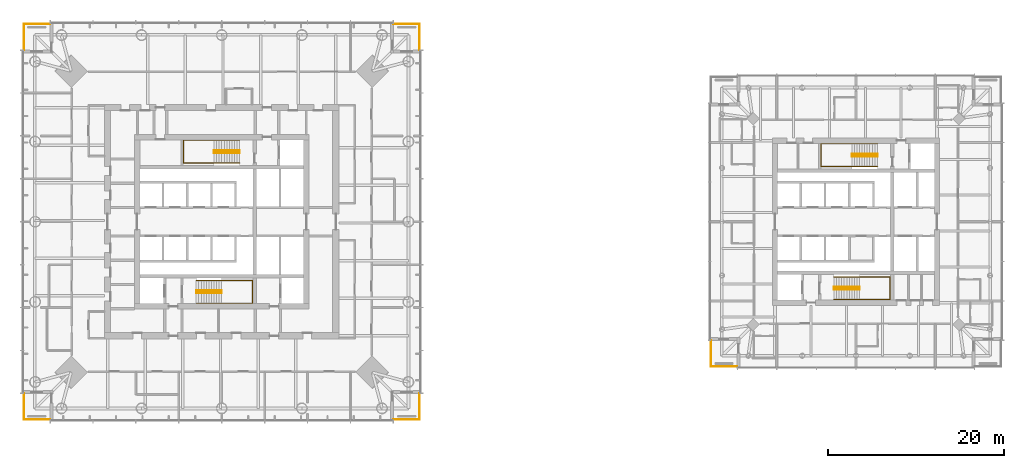
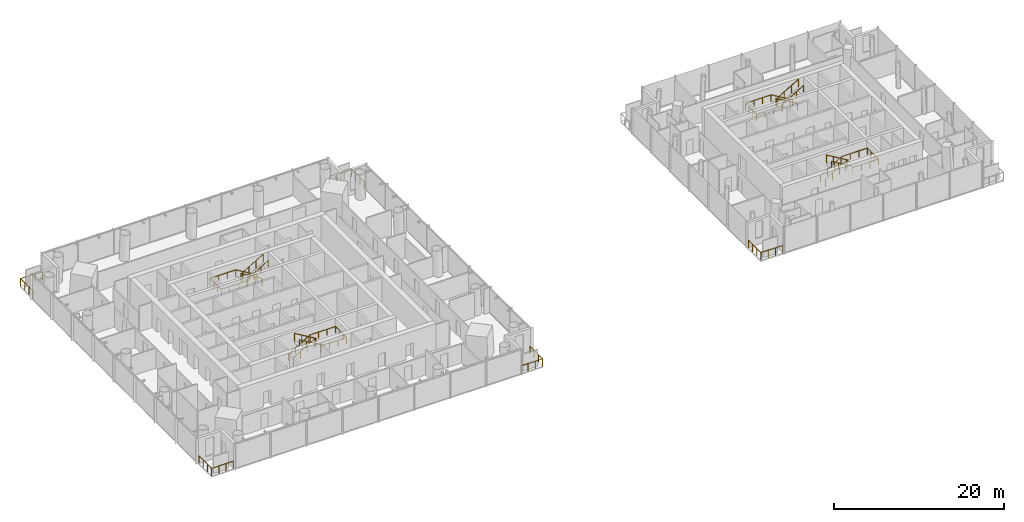
# One storey, part 19 of 20: 13 railings.
"""IFC4 building model written with IfcOpenShell, lengths in metres."""

from ifc_helpers import new_model, si_unit, direction, frame, origin, origin_2d, place, context, subcontext, project, spatial, circle, extrude, material, type_object, element, save


model = new_model("IFC4")

# Units and contexts
model_context = context("Model", 3, precision=1e-05, world=origin(), true_north=direction((0.0, 1.0)))
body_context = subcontext(model_context, "Body", "Model", "MODEL_VIEW")
ifc_project = project(units=[si_unit("LENGTHUNIT", "METRE"), si_unit("AREAUNIT", "SQUARE_METRE"), si_unit("VOLUMEUNIT", "CUBIC_METRE"), si_unit("PLANEANGLEUNIT", "RADIAN"), si_unit("MASSUNIT", "GRAM", prefix="KILO")], contexts=[model_context])

# Site, building, storey
site_placement = place(None, origin())
site = spatial("IfcSite", under=ifc_project, at=site_placement, CompositionType="ELEMENT")
building_placement = place(site_placement, origin())
building = spatial("IfcBuilding", under=site, at=building_placement, Name="Ostroluk Exchange", CompositionType="ELEMENT")
storey_placement = place(building_placement, frame((0.0, 0.0, 108.39990234375)))
storey = spatial("IfcBuildingStorey", under=building, at=storey_placement, Name="L27", CompositionType="ELEMENT", Elevation=108.39990234375)

# Railings
ifc_material_1 = material(Name="Stainless steel", Category="steel")
railing_type_1 = type_object("IfcRailingType", Name="Guard 1100 stainless steel", PredefinedType="GUARDRAIL", material=ifc_material_1)
railing_1_placement = place(storey_placement, frame((64.5, 23.550048828125, 0.0)))
element("IfcRailing", 1, at=railing_1_placement, inside=storey, type_object=railing_type_1, Name="Office tower SE balcony guard L27", PredefinedType="GUARDRAIL", context=body_context, shape_type="SweptSolid", body=[
    extrude(circle(Radius=0.02392578125, at=origin_2d()), frame((0.0, 0.0, 1.076171875), z_axis=(1.0, 0.0, 0.0), x_axis=(0.0, 1.0, 0.0)), (0.0, 0.0, 1.0), 2.949951171875),
    extrude(circle(Radius=0.02392578125, at=origin_2d()), frame((2.949951171875, 0.0, 1.076171875), z_axis=(0.0, 1.0, 0.0), x_axis=(-1.0, 0.0, 0.0)), (0.0, 0.0, 1.0), 2.949951171875),
    extrude(circle(Radius=0.02099609375, at=origin_2d()), origin(), (0.0, 0.0, 1.0), 1.052001953125),
    extrude(circle(Radius=0.02099609375, at=origin_2d()), frame((0.9833984375, 0.0, 0.0)), (0.0, 0.0, 1.0), 1.052001953125),
    extrude(circle(Radius=0.02099609375, at=origin_2d()), frame((1.966552734375, 0.0, 0.0)), (0.0, 0.0, 1.0), 1.052001953125),
    extrude(circle(Radius=0.02099609375, at=origin_2d()), frame((2.949951171875, 0.0, 0.0)), (0.0, 0.0, 1.0), 1.052001953125),
    extrude(circle(Radius=0.02099609375, at=origin_2d()), frame((2.949951171875, 0.9833984375, 0.0)), (0.0, 0.0, 1.0), 1.052001953125),
    extrude(circle(Radius=0.02099609375, at=origin_2d()), frame((2.949951171875, 1.966552734375, 0.0)), (0.0, 0.0, 1.0), 1.052001953125),
    extrude(circle(Radius=0.02099609375, at=origin_2d()), frame((2.949951171875, 2.949951171875, 0.0)), (0.0, 0.0, 1.0), 1.052001953125),
])
railing_2_placement = place(storey_placement, frame((64.5, 68.449951171875, 0.0)))
element("IfcRailing", 2, at=railing_2_placement, inside=storey, type_object=railing_type_1, Name="Office tower NE balcony guard L27", PredefinedType="GUARDRAIL", context=body_context, shape_type="SweptSolid", body=[
    extrude(circle(Radius=0.02392578125, at=origin_2d()), frame((0.0, 0.0, 1.076171875), z_axis=(1.0, 0.0, 0.0), x_axis=(0.0, 1.0, 0.0)), (0.0, 0.0, 1.0), 2.949951171875),
    extrude(circle(Radius=0.02392578125, at=origin_2d()), frame((2.949951171875, 0.0, 1.076171875), z_axis=(0.0, -1.0, 0.0), x_axis=(1.0, 0.0, 0.0)), (0.0, 0.0, 1.0), 2.949951171875),
    extrude(circle(Radius=0.02099609375, at=origin_2d()), origin(), (0.0, 0.0, 1.0), 1.052001953125),
    extrude(circle(Radius=0.02099609375, at=origin_2d()), frame((0.9833984375, 0.0, 0.0)), (0.0, 0.0, 1.0), 1.052001953125),
    extrude(circle(Radius=0.02099609375, at=origin_2d()), frame((1.966552734375, 0.0, 0.0)), (0.0, 0.0, 1.0), 1.052001953125),
    extrude(circle(Radius=0.02099609375, at=origin_2d()), frame((2.949951171875, 0.0, 0.0)), (0.0, 0.0, 1.0), 1.052001953125),
    extrude(circle(Radius=0.02099609375, at=origin_2d()), frame((2.949951171875, -0.9833984375, 0.0)), (0.0, 0.0, 1.0), 1.052001953125),
    extrude(circle(Radius=0.02099609375, at=origin_2d()), frame((2.949951171875, -1.966552734375, 0.0)), (0.0, 0.0, 1.0), 1.052001953125),
    extrude(circle(Radius=0.02099609375, at=origin_2d()), frame((2.949951171875, -2.949951171875, 0.0)), (0.0, 0.0, 1.0), 1.052001953125),
])
railing_3_placement = place(storey_placement, frame((25.5, 68.449951171875, 0.0)))
element("IfcRailing", 3, at=railing_3_placement, inside=storey, type_object=railing_type_1, Name="Office tower NW balcony guard L27", PredefinedType="GUARDRAIL", context=body_context, shape_type="SweptSolid", body=[
    extrude(circle(Radius=0.02392578125, at=origin_2d()), frame((0.0, 0.0, 1.076171875), z_axis=(-1.0, 0.0, 0.0), x_axis=(0.0, -1.0, 0.0)), (0.0, 0.0, 1.0), 2.949951171875),
    extrude(circle(Radius=0.02392578125, at=origin_2d()), frame((-2.949951171875, 0.0, 1.076171875), z_axis=(0.0, -1.0, 0.0), x_axis=(1.0, 0.0, 0.0)), (0.0, 0.0, 1.0), 2.949951171875),
    extrude(circle(Radius=0.02099609375, at=origin_2d()), origin(), (0.0, 0.0, 1.0), 1.052001953125),
    extrude(circle(Radius=0.02099609375, at=origin_2d()), frame((-0.9833984375, 0.0, 0.0)), (0.0, 0.0, 1.0), 1.052001953125),
    extrude(circle(Radius=0.02099609375, at=origin_2d()), frame((-1.966552734375, 0.0, 0.0)), (0.0, 0.0, 1.0), 1.052001953125),
    extrude(circle(Radius=0.02099609375, at=origin_2d()), frame((-2.949951171875, 0.0, 0.0)), (0.0, 0.0, 1.0), 1.052001953125),
    extrude(circle(Radius=0.02099609375, at=origin_2d()), frame((-2.949951171875, -0.9833984375, 0.0)), (0.0, 0.0, 1.0), 1.052001953125),
    extrude(circle(Radius=0.02099609375, at=origin_2d()), frame((-2.949951171875, -1.966552734375, 0.0)), (0.0, 0.0, 1.0), 1.052001953125),
    extrude(circle(Radius=0.02099609375, at=origin_2d()), frame((-2.949951171875, -2.949951171875, 0.0)), (0.0, 0.0, 1.0), 1.052001953125),
])
for number, where, name in (
    (4, (25.5, 23.550048828125, 0.0), "Office tower SW balcony guard L27"),
    (5, (103.5, 29.550048828125, 0.0), "Hotel tower SW balcony guard L27"),
):
    element("IfcRailing", number, at=place(storey_placement, frame(where)), inside=storey, type_object=railing_type_1, Name=name, PredefinedType="GUARDRAIL", context=body_context, shape_type="SweptSolid", body=[
        extrude(circle(Radius=0.02392578125, at=origin_2d()), frame((0.0, 0.0, 1.076171875), z_axis=(-1.0, 0.0, 0.0), x_axis=(0.0, -1.0, 0.0)), (0.0, 0.0, 1.0), 2.949951171875),
        extrude(circle(Radius=0.02392578125, at=origin_2d()), frame((-2.949951171875, 0.0, 1.076171875), z_axis=(0.0, 1.0, 0.0), x_axis=(-1.0, 0.0, 0.0)), (0.0, 0.0, 1.0), 2.949951171875),
        extrude(circle(Radius=0.02099609375, at=origin_2d()), origin(), (0.0, 0.0, 1.0), 1.052001953125),
        extrude(circle(Radius=0.02099609375, at=origin_2d()), frame((-0.9833984375, 0.0, 0.0)), (0.0, 0.0, 1.0), 1.052001953125),
        extrude(circle(Radius=0.02099609375, at=origin_2d()), frame((-1.966552734375, 0.0, 0.0)), (0.0, 0.0, 1.0), 1.052001953125),
        extrude(circle(Radius=0.02099609375, at=origin_2d()), frame((-2.949951171875, 0.0, 0.0)), (0.0, 0.0, 1.0), 1.052001953125),
        extrude(circle(Radius=0.02099609375, at=origin_2d()), frame((-2.949951171875, 0.9833984375, 0.0)), (0.0, 0.0, 1.0), 1.052001953125),
        extrude(circle(Radius=0.02099609375, at=origin_2d()), frame((-2.949951171875, 1.966552734375, 0.0)), (0.0, 0.0, 1.0), 1.052001953125),
        extrude(circle(Radius=0.02099609375, at=origin_2d()), frame((-2.949951171875, 2.949951171875, 0.0)), (0.0, 0.0, 1.0), 1.052001953125),
    ])
ifc_material_2 = material(Name="Steel S355", Category="steel")
railing_type_2 = type_object("IfcRailingType", Name="Stair guard 1100", PredefinedType="GUARDRAIL", material=ifc_material_2)
railing_4_placement = place(storey_placement, frame((42.10009765625, 38.179931640625, 0.1728515625)))
element("IfcRailing", 6, at=railing_4_placement, inside=storey, type_object=railing_type_2, Name="Stair T1-S1 guard L27", PredefinedType="GUARDRAIL", context=body_context, shape_type="SweptSolid", body=[
    extrude(circle(Radius=0.02392578125, at=origin_2d()), frame((0.0, 0.0, 1.076171875), z_axis=(0.859141464434, 0.0, 0.511738159696), x_axis=(0.0, 1.0, 0.0)), (0.0, 0.0, 1.0), 3.375244140625),
    extrude(circle(Radius=0.02392578125, at=origin_2d()), frame((2.89990234375, 0.0, 2.80322265625), z_axis=(0.0, -1.0, 0.0), x_axis=(1.0, 0.0, 0.0)), (0.0, 0.0, 1.0), 0.260009765625),
    extrude(circle(Radius=0.02392578125, at=origin_2d()), frame((2.89990234375, -0.260009765625, 2.80322265625), z_axis=(0.0, 0.0, 1.0), x_axis=(1.0, 0.0, 0.0)), (0.0, 0.0, 1.0), 0.172607421875),
    extrude(circle(Radius=0.02392578125, at=origin_2d()), frame((2.89990234375, -0.260009765625, 2.97607421875), z_axis=(-0.859141464434, 0.0, 0.511738159696), x_axis=(0.0, -1.0, 0.0)), (0.0, 0.0, 1.0), 3.375244140625),
    extrude(circle(Radius=0.02099609375, at=origin_2d()), origin(), (0.0, 0.0, 1.0), 1.052001953125),
    extrude(circle(Radius=0.02099609375, at=origin_2d()), frame((0.966552734375, 0.0, 0.57568359375)), (0.0, 0.0, 1.0), 1.052001953125),
    extrude(circle(Radius=0.02099609375, at=origin_2d()), frame((1.933349609375, 0.0, 1.151611328125)), (0.0, 0.0, 1.0), 1.052001953125),
    extrude(circle(Radius=0.02099609375, at=origin_2d()), frame((2.89990234375, 0.0, 1.727294921875)), (0.0, 0.0, 1.0), 1.052001953125),
    extrude(circle(Radius=0.02099609375, at=origin_2d()), frame((2.89990234375, -0.260009765625, 1.727294921875)), (0.0, 0.0, 1.0), 1.052001953125),
    extrude(circle(Radius=0.02099609375, at=origin_2d()), frame((2.89990234375, -0.260009765625, 1.89990234375)), (0.0, 0.0, 1.0), 1.052001953125),
    extrude(circle(Radius=0.02099609375, at=origin_2d()), frame((1.933349609375, -0.260009765625, 2.4755859375)), (0.0, 0.0, 1.0), 1.052001953125),
    extrude(circle(Radius=0.02099609375, at=origin_2d()), frame((0.966552734375, -0.260009765625, 3.051513671875)), (0.0, 0.0, 1.0), 1.052001953125),
    extrude(circle(Radius=0.02099609375, at=origin_2d()), frame((0.0, -0.260009765625, 3.627197265625)), (0.0, 0.0, 1.0), 1.052001953125),
])
railing_5_placement = place(storey_placement, frame((47.030029296875, 54.080078125, 0.1728515625)))
element("IfcRailing", 7, at=railing_5_placement, inside=storey, type_object=railing_type_2, Name="Stair T1-S2 guard L27", PredefinedType="GUARDRAIL", context=body_context, shape_type="SweptSolid", body=[
    extrude(circle(Radius=0.02392578125, at=origin_2d()), frame((0.0, 0.0, 1.076171875), z_axis=(-0.859160404282, 0.0, 0.51170636083), x_axis=(0.0, -1.0, 0.0)), (0.0, 0.0, 1.0), 3.37548828125),
    extrude(circle(Radius=0.02392578125, at=origin_2d()), frame((-2.900146484375, 0.0, 2.80322265625), z_axis=(0.0, -1.0, 0.0), x_axis=(1.0, 0.0, 0.0)), (0.0, 0.0, 1.0), 0.260009765625),
    extrude(circle(Radius=0.02392578125, at=origin_2d()), frame((-2.900146484375, -0.260009765625, 2.80322265625), z_axis=(0.0, 0.0, 1.0), x_axis=(1.0, 0.0, 0.0)), (0.0, 0.0, 1.0), 0.172607421875),
    extrude(circle(Radius=0.02392578125, at=origin_2d()), frame((-2.900146484375, -0.260009765625, 2.97607421875), z_axis=(0.859160404282, 0.0, 0.51170636083), x_axis=(0.0, 1.0, 0.0)), (0.0, 0.0, 1.0), 3.37548828125),
    extrude(circle(Radius=0.02099609375, at=origin_2d()), origin(), (0.0, 0.0, 1.0), 1.052001953125),
    extrude(circle(Radius=0.02099609375, at=origin_2d()), frame((-0.966796875, 0.0, 0.57568359375)), (0.0, 0.0, 1.0), 1.052001953125),
    extrude(circle(Radius=0.02099609375, at=origin_2d()), frame((-1.933349609375, 0.0, 1.151611328125)), (0.0, 0.0, 1.0), 1.052001953125),
    extrude(circle(Radius=0.02099609375, at=origin_2d()), frame((-2.900146484375, 0.0, 1.727294921875)), (0.0, 0.0, 1.0), 1.052001953125),
    extrude(circle(Radius=0.02099609375, at=origin_2d()), frame((-2.900146484375, -0.260009765625, 1.727294921875)), (0.0, 0.0, 1.0), 1.052001953125),
    extrude(circle(Radius=0.02099609375, at=origin_2d()), frame((-2.900146484375, -0.260009765625, 1.89990234375)), (0.0, 0.0, 1.0), 1.052001953125),
    extrude(circle(Radius=0.02099609375, at=origin_2d()), frame((-1.933349609375, -0.260009765625, 2.4755859375)), (0.0, 0.0, 1.0), 1.052001953125),
    extrude(circle(Radius=0.02099609375, at=origin_2d()), frame((-0.966796875, -0.260009765625, 3.051513671875)), (0.0, 0.0, 1.0), 1.052001953125),
    extrude(circle(Radius=0.02099609375, at=origin_2d()), frame((0.0, -0.260009765625, 3.627197265625)), (0.0, 0.0, 1.0), 1.052001953125),
])
railing_6_placement = place(storey_placement, frame((114.5, 38.580078125, 0.1728515625)))
element("IfcRailing", 8, at=railing_6_placement, inside=storey, type_object=railing_type_2, Name="Stair T2-S1 guard L27", PredefinedType="GUARDRAIL", context=body_context, shape_type="SweptSolid", body=[
    extrude(circle(Radius=0.02392578125, at=origin_2d()), frame((0.0, 0.0, 1.076171875), z_axis=(0.859141464434, 0.0, 0.511738159696), x_axis=(0.0, 1.0, 0.0)), (0.0, 0.0, 1.0), 3.375244140625),
    extrude(circle(Radius=0.02392578125, at=origin_2d()), frame((2.89990234375, 0.0, 2.80322265625), z_axis=(0.0, -1.0, 0.0), x_axis=(1.0, 0.0, 0.0)), (0.0, 0.0, 1.0), 0.260009765625),
    extrude(circle(Radius=0.02392578125, at=origin_2d()), frame((2.89990234375, -0.260009765625, 2.80322265625), z_axis=(0.0, 0.0, 1.0), x_axis=(1.0, 0.0, 0.0)), (0.0, 0.0, 1.0), 0.172607421875),
    extrude(circle(Radius=0.02392578125, at=origin_2d()), frame((2.89990234375, -0.260009765625, 2.97607421875), z_axis=(-0.859141464434, 0.0, 0.511738159696), x_axis=(0.0, -1.0, 0.0)), (0.0, 0.0, 1.0), 3.375244140625),
    extrude(circle(Radius=0.02099609375, at=origin_2d()), origin(), (0.0, 0.0, 1.0), 1.052001953125),
    extrude(circle(Radius=0.02099609375, at=origin_2d()), frame((0.966552734375, 0.0, 0.57568359375)), (0.0, 0.0, 1.0), 1.052001953125),
    extrude(circle(Radius=0.02099609375, at=origin_2d()), frame((1.933349609375, 0.0, 1.151611328125)), (0.0, 0.0, 1.0), 1.052001953125),
    extrude(circle(Radius=0.02099609375, at=origin_2d()), frame((2.89990234375, 0.0, 1.727294921875)), (0.0, 0.0, 1.0), 1.052001953125),
    extrude(circle(Radius=0.02099609375, at=origin_2d()), frame((2.89990234375, -0.260009765625, 1.727294921875)), (0.0, 0.0, 1.0), 1.052001953125),
    extrude(circle(Radius=0.02099609375, at=origin_2d()), frame((2.89990234375, -0.260009765625, 1.89990234375)), (0.0, 0.0, 1.0), 1.052001953125),
    extrude(circle(Radius=0.02099609375, at=origin_2d()), frame((1.933349609375, -0.260009765625, 2.4755859375)), (0.0, 0.0, 1.0), 1.052001953125),
    extrude(circle(Radius=0.02099609375, at=origin_2d()), frame((0.966552734375, -0.260009765625, 3.051513671875)), (0.0, 0.0, 1.0), 1.052001953125),
    extrude(circle(Radius=0.02099609375, at=origin_2d()), frame((0.0, -0.260009765625, 3.627197265625)), (0.0, 0.0, 1.0), 1.052001953125),
])
railing_7_placement = place(storey_placement, frame((119.429931640625, 53.679931640625, 0.1728515625)))
element("IfcRailing", 9, at=railing_7_placement, inside=storey, type_object=railing_type_2, Name="Stair T2-S2 guard L27", PredefinedType="GUARDRAIL", context=body_context, shape_type="SweptSolid", body=[
    extrude(circle(Radius=0.02392578125, at=origin_2d()), frame((0.0, 0.0, 1.076171875), z_axis=(-0.859141464434, 0.0, 0.511738159696), x_axis=(0.0, -1.0, 0.0)), (0.0, 0.0, 1.0), 3.375244140625),
    extrude(circle(Radius=0.02392578125, at=origin_2d()), frame((-2.89990234375, 0.0, 2.80322265625), z_axis=(0.0, -1.0, 0.0), x_axis=(1.0, 0.0, 0.0)), (0.0, 0.0, 1.0), 0.260009765625),
    extrude(circle(Radius=0.02392578125, at=origin_2d()), frame((-2.89990234375, -0.260009765625, 2.80322265625), z_axis=(0.0, 0.0, 1.0), x_axis=(1.0, 0.0, 0.0)), (0.0, 0.0, 1.0), 0.172607421875),
    extrude(circle(Radius=0.02392578125, at=origin_2d()), frame((-2.89990234375, -0.260009765625, 2.97607421875), z_axis=(0.859141464434, 0.0, 0.511738159696), x_axis=(0.0, 1.0, 0.0)), (0.0, 0.0, 1.0), 3.375244140625),
    extrude(circle(Radius=0.02099609375, at=origin_2d()), origin(), (0.0, 0.0, 1.0), 1.052001953125),
    extrude(circle(Radius=0.02099609375, at=origin_2d()), frame((-0.966552734375, 0.0, 0.57568359375)), (0.0, 0.0, 1.0), 1.052001953125),
    extrude(circle(Radius=0.02099609375, at=origin_2d()), frame((-1.933349609375, 0.0, 1.151611328125)), (0.0, 0.0, 1.0), 1.052001953125),
    extrude(circle(Radius=0.02099609375, at=origin_2d()), frame((-2.89990234375, 0.0, 1.727294921875)), (0.0, 0.0, 1.0), 1.052001953125),
    extrude(circle(Radius=0.02099609375, at=origin_2d()), frame((-2.89990234375, -0.260009765625, 1.727294921875)), (0.0, 0.0, 1.0), 1.052001953125),
    extrude(circle(Radius=0.02099609375, at=origin_2d()), frame((-2.89990234375, -0.260009765625, 1.89990234375)), (0.0, 0.0, 1.0), 1.052001953125),
    extrude(circle(Radius=0.02099609375, at=origin_2d()), frame((-1.933349609375, -0.260009765625, 2.4755859375)), (0.0, 0.0, 1.0), 1.052001953125),
    extrude(circle(Radius=0.02099609375, at=origin_2d()), frame((-0.966552734375, -0.260009765625, 3.051513671875)), (0.0, 0.0, 1.0), 1.052001953125),
    extrude(circle(Radius=0.02099609375, at=origin_2d()), frame((0.0, -0.260009765625, 3.627197265625)), (0.0, 0.0, 1.0), 1.052001953125),
])
ifc_material_3 = material(Name="Stainless steel", Category="steel")
railing_type_3 = type_object("IfcRailingType", Name="Stair handrail 900", PredefinedType="HANDRAIL", material=ifc_material_3)
railing_8_placement = place(storey_placement, frame((42.10009765625, 39.35009765625, 0.1728515625)))
element("IfcRailing", 10, at=railing_8_placement, inside=storey, type_object=railing_type_3, Name="Stair T1-S1 handrail L27", PredefinedType="HANDRAIL", context=body_context, shape_type="SweptSolid", body=[
    extrude(circle(Radius=0.02392578125, at=origin_2d()), frame((0.0, 0.0, 0.8759765625), z_axis=(0.859141464434, 0.0, 0.511738159696), x_axis=(0.0, 1.0, 0.0)), (0.0, 0.0, 1.0), 3.375244140625),
    extrude(circle(Radius=0.02392578125, at=origin_2d()), frame((2.89990234375, 0.0, 2.60302734375), z_axis=(1.0, 0.0, 0.0), x_axis=(0.0, 1.0, 0.0)), (0.0, 0.0, 1.0), 3.47998046875),
    extrude(circle(Radius=0.02392578125, at=origin_2d()), frame((6.3798828125, 0.0, 2.60302734375), z_axis=(0.0, -1.0, 0.0), x_axis=(1.0, 0.0, 0.0)), (0.0, 0.0, 1.0), 2.60009765625),
    extrude(circle(Radius=0.02392578125, at=origin_2d()), frame((6.3798828125, -2.60009765625, 2.60302734375), z_axis=(-1.0, 0.0, 0.0), x_axis=(0.0, -1.0, 0.0)), (0.0, 0.0, 1.0), 3.47998046875),
    extrude(circle(Radius=0.02392578125, at=origin_2d()), frame((2.89990234375, -2.60009765625, 2.60302734375), z_axis=(0.0, 0.0, 1.0), x_axis=(1.0, 0.0, 0.0)), (0.0, 0.0, 1.0), 0.172607421875),
    extrude(circle(Radius=0.02392578125, at=origin_2d()), frame((2.89990234375, -2.60009765625, 2.77587890625), z_axis=(-0.859141464434, 0.0, 0.511738159696), x_axis=(0.0, -1.0, 0.0)), (0.0, 0.0, 1.0), 3.375244140625),
    extrude(circle(Radius=0.02099609375, at=origin_2d()), origin(), (0.0, 0.0, 1.0), 0.851806640625),
    extrude(circle(Radius=0.02099609375, at=origin_2d()), frame((0.966552734375, 0.0, 0.57568359375)), (0.0, 0.0, 1.0), 0.851806640625),
    extrude(circle(Radius=0.02099609375, at=origin_2d()), frame((1.933349609375, 0.0, 1.151611328125)), (0.0, 0.0, 1.0), 0.851806640625),
    extrude(circle(Radius=0.02099609375, at=origin_2d()), frame((2.89990234375, 0.0, 1.727294921875)), (0.0, 0.0, 1.0), 0.851806640625),
    extrude(circle(Radius=0.02099609375, at=origin_2d()), frame((4.059814453125, 0.0, 1.727294921875)), (0.0, 0.0, 1.0), 0.851806640625),
    extrude(circle(Radius=0.02099609375, at=origin_2d()), frame((5.219970703125, 0.0, 1.727294921875)), (0.0, 0.0, 1.0), 0.851806640625),
    extrude(circle(Radius=0.02099609375, at=origin_2d()), frame((6.3798828125, 0.0, 1.727294921875)), (0.0, 0.0, 1.0), 0.851806640625),
    extrude(circle(Radius=0.02099609375, at=origin_2d()), frame((6.3798828125, -0.86669921875, 1.727294921875)), (0.0, 0.0, 1.0), 0.851806640625),
    extrude(circle(Radius=0.02099609375, at=origin_2d()), frame((6.3798828125, -1.7333984375, 1.727294921875)), (0.0, 0.0, 1.0), 0.851806640625),
    extrude(circle(Radius=0.02099609375, at=origin_2d()), frame((6.3798828125, -2.60009765625, 1.727294921875)), (0.0, 0.0, 1.0), 0.851806640625),
    extrude(circle(Radius=0.02099609375, at=origin_2d()), frame((5.219970703125, -2.60009765625, 1.727294921875)), (0.0, 0.0, 1.0), 0.851806640625),
    extrude(circle(Radius=0.02099609375, at=origin_2d()), frame((4.059814453125, -2.60009765625, 1.727294921875)), (0.0, 0.0, 1.0), 0.851806640625),
    extrude(circle(Radius=0.02099609375, at=origin_2d()), frame((2.89990234375, -2.60009765625, 1.727294921875)), (0.0, 0.0, 1.0), 0.851806640625),
    extrude(circle(Radius=0.02099609375, at=origin_2d()), frame((2.89990234375, -2.60009765625, 1.89990234375)), (0.0, 0.0, 1.0), 0.851806640625),
    extrude(circle(Radius=0.02099609375, at=origin_2d()), frame((1.933349609375, -2.60009765625, 2.4755859375)), (0.0, 0.0, 1.0), 0.851806640625),
    extrude(circle(Radius=0.02099609375, at=origin_2d()), frame((0.966552734375, -2.60009765625, 3.051513671875)), (0.0, 0.0, 1.0), 0.851806640625),
    extrude(circle(Radius=0.02099609375, at=origin_2d()), frame((0.0, -2.60009765625, 3.627197265625)), (0.0, 0.0, 1.0), 0.851806640625),
])
railing_9_placement = place(storey_placement, frame((47.030029296875, 55.25, 0.1728515625)))
element("IfcRailing", 11, at=railing_9_placement, inside=storey, type_object=railing_type_3, Name="Stair T1-S2 handrail L27", PredefinedType="HANDRAIL", context=body_context, shape_type="SweptSolid", body=[
    extrude(circle(Radius=0.02392578125, at=origin_2d()), frame((0.0, 0.0, 0.8759765625), z_axis=(-0.859160404282, 0.0, 0.51170636083), x_axis=(0.0, -1.0, 0.0)), (0.0, 0.0, 1.0), 3.37548828125),
    extrude(circle(Radius=0.02392578125, at=origin_2d()), frame((-2.900146484375, 0.0, 2.60302734375), z_axis=(-1.0, 0.0, 0.0), x_axis=(0.0, -1.0, 0.0)), (0.0, 0.0, 1.0), 3.47998046875),
    extrude(circle(Radius=0.02392578125, at=origin_2d()), frame((-6.380126953125, 0.0, 2.60302734375), z_axis=(0.0, -1.0, 0.0), x_axis=(1.0, 0.0, 0.0)), (0.0, 0.0, 1.0), 2.60009765625),
    extrude(circle(Radius=0.02392578125, at=origin_2d()), frame((-6.380126953125, -2.60009765625, 2.60302734375), z_axis=(1.0, 0.0, 0.0), x_axis=(0.0, 1.0, 0.0)), (0.0, 0.0, 1.0), 3.47998046875),
    extrude(circle(Radius=0.02392578125, at=origin_2d()), frame((-2.900146484375, -2.60009765625, 2.60302734375), z_axis=(0.0, 0.0, 1.0), x_axis=(1.0, 0.0, 0.0)), (0.0, 0.0, 1.0), 0.172607421875),
    extrude(circle(Radius=0.02392578125, at=origin_2d()), frame((-2.900146484375, -2.60009765625, 2.77587890625), z_axis=(0.859160404282, 0.0, 0.51170636083), x_axis=(0.0, 1.0, 0.0)), (0.0, 0.0, 1.0), 3.37548828125),
    extrude(circle(Radius=0.02099609375, at=origin_2d()), origin(), (0.0, 0.0, 1.0), 0.851806640625),
    extrude(circle(Radius=0.02099609375, at=origin_2d()), frame((-0.966796875, 0.0, 0.57568359375)), (0.0, 0.0, 1.0), 0.851806640625),
    extrude(circle(Radius=0.02099609375, at=origin_2d()), frame((-1.933349609375, 0.0, 1.151611328125)), (0.0, 0.0, 1.0), 0.851806640625),
    extrude(circle(Radius=0.02099609375, at=origin_2d()), frame((-2.900146484375, 0.0, 1.727294921875)), (0.0, 0.0, 1.0), 0.851806640625),
    extrude(circle(Radius=0.02099609375, at=origin_2d()), frame((-4.06005859375, 0.0, 1.727294921875)), (0.0, 0.0, 1.0), 0.851806640625),
    extrude(circle(Radius=0.02099609375, at=origin_2d()), frame((-5.22021484375, 0.0, 1.727294921875)), (0.0, 0.0, 1.0), 0.851806640625),
    extrude(circle(Radius=0.02099609375, at=origin_2d()), frame((-6.380126953125, 0.0, 1.727294921875)), (0.0, 0.0, 1.0), 0.851806640625),
    extrude(circle(Radius=0.02099609375, at=origin_2d()), frame((-6.380126953125, -0.86669921875, 1.727294921875)), (0.0, 0.0, 1.0), 0.851806640625),
    extrude(circle(Radius=0.02099609375, at=origin_2d()), frame((-6.380126953125, -1.7333984375, 1.727294921875)), (0.0, 0.0, 1.0), 0.851806640625),
    extrude(circle(Radius=0.02099609375, at=origin_2d()), frame((-6.380126953125, -2.60009765625, 1.727294921875)), (0.0, 0.0, 1.0), 0.851806640625),
    extrude(circle(Radius=0.02099609375, at=origin_2d()), frame((-5.22021484375, -2.60009765625, 1.727294921875)), (0.0, 0.0, 1.0), 0.851806640625),
    extrude(circle(Radius=0.02099609375, at=origin_2d()), frame((-4.06005859375, -2.60009765625, 1.727294921875)), (0.0, 0.0, 1.0), 0.851806640625),
    extrude(circle(Radius=0.02099609375, at=origin_2d()), frame((-2.900146484375, -2.60009765625, 1.727294921875)), (0.0, 0.0, 1.0), 0.851806640625),
    extrude(circle(Radius=0.02099609375, at=origin_2d()), frame((-2.900146484375, -2.60009765625, 1.89990234375)), (0.0, 0.0, 1.0), 0.851806640625),
    extrude(circle(Radius=0.02099609375, at=origin_2d()), frame((-1.933349609375, -2.60009765625, 2.4755859375)), (0.0, 0.0, 1.0), 0.851806640625),
    extrude(circle(Radius=0.02099609375, at=origin_2d()), frame((-0.966796875, -2.60009765625, 3.051513671875)), (0.0, 0.0, 1.0), 0.851806640625),
    extrude(circle(Radius=0.02099609375, at=origin_2d()), frame((0.0, -2.60009765625, 3.627197265625)), (0.0, 0.0, 1.0), 0.851806640625),
])
railing_10_placement = place(storey_placement, frame((114.5, 39.75, 0.1728515625)))
element("IfcRailing", 12, at=railing_10_placement, inside=storey, type_object=railing_type_3, Name="Stair T2-S1 handrail L27", PredefinedType="HANDRAIL", context=body_context, shape_type="SweptSolid", body=[
    extrude(circle(Radius=0.02392578125, at=origin_2d()), frame((0.0, 0.0, 0.8759765625), z_axis=(0.859141464434, 0.0, 0.511738159696), x_axis=(0.0, 1.0, 0.0)), (0.0, 0.0, 1.0), 3.375244140625),
    extrude(circle(Radius=0.02392578125, at=origin_2d()), frame((2.89990234375, 0.0, 2.60302734375), z_axis=(1.0, 0.0, 0.0), x_axis=(0.0, 1.0, 0.0)), (0.0, 0.0, 1.0), 3.47998046875),
    extrude(circle(Radius=0.02392578125, at=origin_2d()), frame((6.3798828125, 0.0, 2.60302734375), z_axis=(0.0, -1.0, 0.0), x_axis=(1.0, 0.0, 0.0)), (0.0, 0.0, 1.0), 2.60009765625),
    extrude(circle(Radius=0.02392578125, at=origin_2d()), frame((6.3798828125, -2.60009765625, 2.60302734375), z_axis=(-1.0, 0.0, 0.0), x_axis=(0.0, -1.0, 0.0)), (0.0, 0.0, 1.0), 3.47998046875),
    extrude(circle(Radius=0.02392578125, at=origin_2d()), frame((2.89990234375, -2.60009765625, 2.60302734375), z_axis=(0.0, 0.0, 1.0), x_axis=(1.0, 0.0, 0.0)), (0.0, 0.0, 1.0), 0.172607421875),
    extrude(circle(Radius=0.02392578125, at=origin_2d()), frame((2.89990234375, -2.60009765625, 2.77587890625), z_axis=(-0.859141464434, 0.0, 0.511738159696), x_axis=(0.0, -1.0, 0.0)), (0.0, 0.0, 1.0), 3.375244140625),
    extrude(circle(Radius=0.02099609375, at=origin_2d()), origin(), (0.0, 0.0, 1.0), 0.851806640625),
    extrude(circle(Radius=0.02099609375, at=origin_2d()), frame((0.966552734375, 0.0, 0.57568359375)), (0.0, 0.0, 1.0), 0.851806640625),
    extrude(circle(Radius=0.02099609375, at=origin_2d()), frame((1.933349609375, 0.0, 1.151611328125)), (0.0, 0.0, 1.0), 0.851806640625),
    extrude(circle(Radius=0.02099609375, at=origin_2d()), frame((2.89990234375, 0.0, 1.727294921875)), (0.0, 0.0, 1.0), 0.851806640625),
    extrude(circle(Radius=0.02099609375, at=origin_2d()), frame((4.059814453125, 0.0, 1.727294921875)), (0.0, 0.0, 1.0), 0.851806640625),
    extrude(circle(Radius=0.02099609375, at=origin_2d()), frame((5.219970703125, 0.0, 1.727294921875)), (0.0, 0.0, 1.0), 0.851806640625),
    extrude(circle(Radius=0.02099609375, at=origin_2d()), frame((6.3798828125, 0.0, 1.727294921875)), (0.0, 0.0, 1.0), 0.851806640625),
    extrude(circle(Radius=0.02099609375, at=origin_2d()), frame((6.3798828125, -0.86669921875, 1.727294921875)), (0.0, 0.0, 1.0), 0.851806640625),
    extrude(circle(Radius=0.02099609375, at=origin_2d()), frame((6.3798828125, -1.7333984375, 1.727294921875)), (0.0, 0.0, 1.0), 0.851806640625),
    extrude(circle(Radius=0.02099609375, at=origin_2d()), frame((6.3798828125, -2.60009765625, 1.727294921875)), (0.0, 0.0, 1.0), 0.851806640625),
    extrude(circle(Radius=0.02099609375, at=origin_2d()), frame((5.219970703125, -2.60009765625, 1.727294921875)), (0.0, 0.0, 1.0), 0.851806640625),
    extrude(circle(Radius=0.02099609375, at=origin_2d()), frame((4.059814453125, -2.60009765625, 1.727294921875)), (0.0, 0.0, 1.0), 0.851806640625),
    extrude(circle(Radius=0.02099609375, at=origin_2d()), frame((2.89990234375, -2.60009765625, 1.727294921875)), (0.0, 0.0, 1.0), 0.851806640625),
    extrude(circle(Radius=0.02099609375, at=origin_2d()), frame((2.89990234375, -2.60009765625, 1.89990234375)), (0.0, 0.0, 1.0), 0.851806640625),
    extrude(circle(Radius=0.02099609375, at=origin_2d()), frame((1.933349609375, -2.60009765625, 2.4755859375)), (0.0, 0.0, 1.0), 0.851806640625),
    extrude(circle(Radius=0.02099609375, at=origin_2d()), frame((0.966552734375, -2.60009765625, 3.051513671875)), (0.0, 0.0, 1.0), 0.851806640625),
    extrude(circle(Radius=0.02099609375, at=origin_2d()), frame((0.0, -2.60009765625, 3.627197265625)), (0.0, 0.0, 1.0), 0.851806640625),
])
railing_11_placement = place(storey_placement, frame((119.429931640625, 54.85009765625, 0.1728515625)))
element("IfcRailing", 13, at=railing_11_placement, inside=storey, type_object=railing_type_3, Name="Stair T2-S2 handrail L27", PredefinedType="HANDRAIL", context=body_context, shape_type="SweptSolid", body=[
    extrude(circle(Radius=0.02392578125, at=origin_2d()), frame((0.0, 0.0, 0.8759765625), z_axis=(-0.859141464434, 0.0, 0.511738159696), x_axis=(0.0, -1.0, 0.0)), (0.0, 0.0, 1.0), 3.375244140625),
    extrude(circle(Radius=0.02392578125, at=origin_2d()), frame((-2.89990234375, 0.0, 2.60302734375), z_axis=(-1.0, 0.0, 0.0), x_axis=(0.0, -1.0, 0.0)), (0.0, 0.0, 1.0), 3.47998046875),
    extrude(circle(Radius=0.02392578125, at=origin_2d()), frame((-6.3798828125, 0.0, 2.60302734375), z_axis=(0.0, -1.0, 0.0), x_axis=(1.0, 0.0, 0.0)), (0.0, 0.0, 1.0), 2.60009765625),
    extrude(circle(Radius=0.02392578125, at=origin_2d()), frame((-6.3798828125, -2.60009765625, 2.60302734375), z_axis=(1.0, 0.0, 0.0), x_axis=(0.0, 1.0, 0.0)), (0.0, 0.0, 1.0), 3.47998046875),
    extrude(circle(Radius=0.02392578125, at=origin_2d()), frame((-2.89990234375, -2.60009765625, 2.60302734375), z_axis=(0.0, 0.0, 1.0), x_axis=(1.0, 0.0, 0.0)), (0.0, 0.0, 1.0), 0.172607421875),
    extrude(circle(Radius=0.02392578125, at=origin_2d()), frame((-2.89990234375, -2.60009765625, 2.77587890625), z_axis=(0.859141464434, 0.0, 0.511738159696), x_axis=(0.0, 1.0, 0.0)), (0.0, 0.0, 1.0), 3.375244140625),
    extrude(circle(Radius=0.02099609375, at=origin_2d()), origin(), (0.0, 0.0, 1.0), 0.851806640625),
    extrude(circle(Radius=0.02099609375, at=origin_2d()), frame((-0.966552734375, 0.0, 0.57568359375)), (0.0, 0.0, 1.0), 0.851806640625),
    extrude(circle(Radius=0.02099609375, at=origin_2d()), frame((-1.933349609375, 0.0, 1.151611328125)), (0.0, 0.0, 1.0), 0.851806640625),
    extrude(circle(Radius=0.02099609375, at=origin_2d()), frame((-2.89990234375, 0.0, 1.727294921875)), (0.0, 0.0, 1.0), 0.851806640625),
    extrude(circle(Radius=0.02099609375, at=origin_2d()), frame((-4.059814453125, 0.0, 1.727294921875)), (0.0, 0.0, 1.0), 0.851806640625),
    extrude(circle(Radius=0.02099609375, at=origin_2d()), frame((-5.219970703125, 0.0, 1.727294921875)), (0.0, 0.0, 1.0), 0.851806640625),
    extrude(circle(Radius=0.02099609375, at=origin_2d()), frame((-6.3798828125, 0.0, 1.727294921875)), (0.0, 0.0, 1.0), 0.851806640625),
    extrude(circle(Radius=0.02099609375, at=origin_2d()), frame((-6.3798828125, -0.86669921875, 1.727294921875)), (0.0, 0.0, 1.0), 0.851806640625),
    extrude(circle(Radius=0.02099609375, at=origin_2d()), frame((-6.3798828125, -1.7333984375, 1.727294921875)), (0.0, 0.0, 1.0), 0.851806640625),
    extrude(circle(Radius=0.02099609375, at=origin_2d()), frame((-6.3798828125, -2.60009765625, 1.727294921875)), (0.0, 0.0, 1.0), 0.851806640625),
    extrude(circle(Radius=0.02099609375, at=origin_2d()), frame((-5.219970703125, -2.60009765625, 1.727294921875)), (0.0, 0.0, 1.0), 0.851806640625),
    extrude(circle(Radius=0.02099609375, at=origin_2d()), frame((-4.059814453125, -2.60009765625, 1.727294921875)), (0.0, 0.0, 1.0), 0.851806640625),
    extrude(circle(Radius=0.02099609375, at=origin_2d()), frame((-2.89990234375, -2.60009765625, 1.727294921875)), (0.0, 0.0, 1.0), 0.851806640625),
    extrude(circle(Radius=0.02099609375, at=origin_2d()), frame((-2.89990234375, -2.60009765625, 1.89990234375)), (0.0, 0.0, 1.0), 0.851806640625),
    extrude(circle(Radius=0.02099609375, at=origin_2d()), frame((-1.933349609375, -2.60009765625, 2.4755859375)), (0.0, 0.0, 1.0), 0.851806640625),
    extrude(circle(Radius=0.02099609375, at=origin_2d()), frame((-0.966552734375, -2.60009765625, 3.051513671875)), (0.0, 0.0, 1.0), 0.851806640625),
    extrude(circle(Radius=0.02099609375, at=origin_2d()), frame((0.0, -2.60009765625, 3.627197265625)), (0.0, 0.0, 1.0), 0.851806640625),
])

save(model, "model.ifc")
